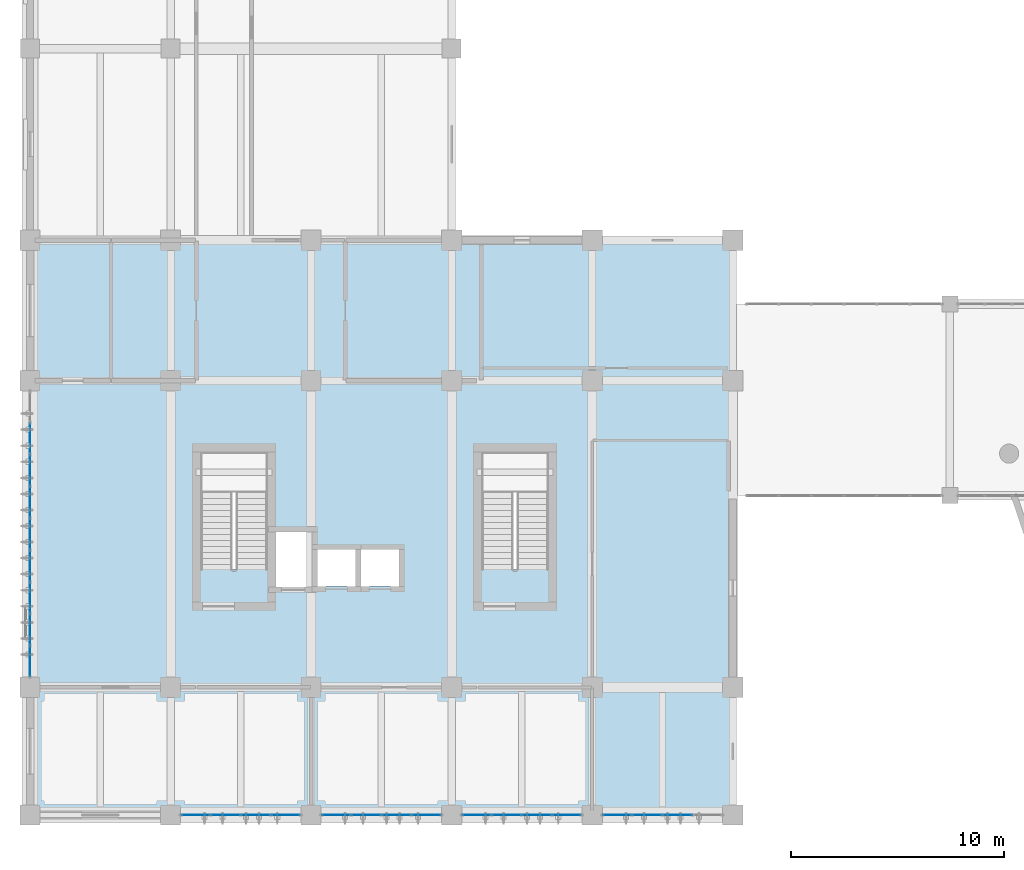
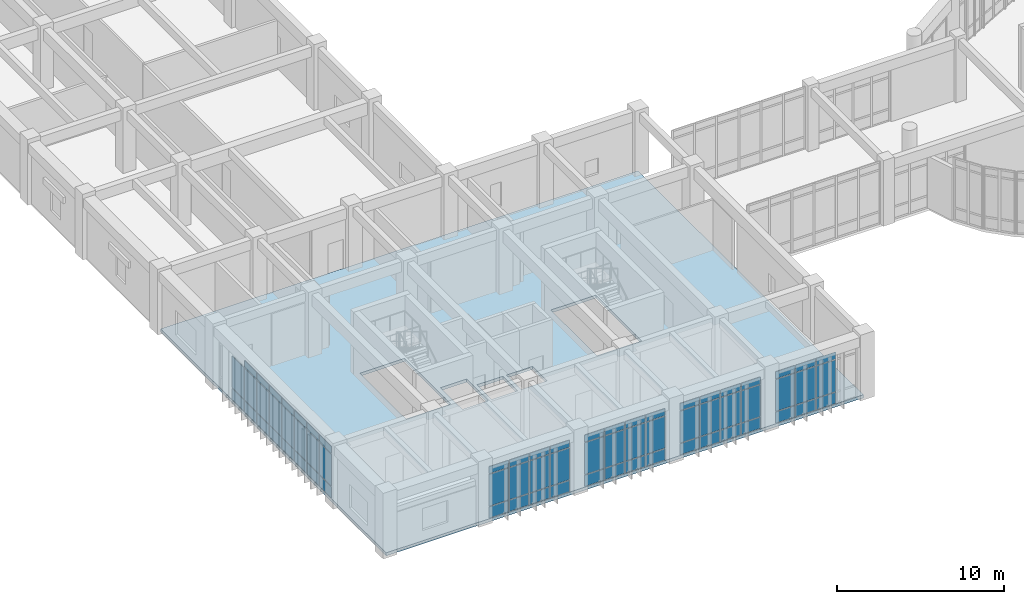
# One storey, part 37 of 68: 68 plates, 1 slab, 5 elements without a shape of their own.
"""IFC4 building model written with IfcOpenShell, lengths in metres."""

from ifc_helpers import new_model, si_unit, direction, frame, origin, origin_2d, place, context, subcontext, project, spatial, polyline, rectangle, outline, extrude, material, layer, layer_set, type_object, element, aggregate, save


model = new_model("IFC4")

# Units and contexts
model_context = context("Model", 3, precision=1e-05, world=origin(), true_north=direction((0.0, 1.0)))
body_context = subcontext(model_context, "Body", "Model", "MODEL_VIEW")
ifc_project = project(units=[si_unit("LENGTHUNIT", "METRE"), si_unit("AREAUNIT", "SQUARE_METRE"), si_unit("VOLUMEUNIT", "CUBIC_METRE"), si_unit("PLANEANGLEUNIT", "RADIAN"), si_unit("MASSUNIT", "GRAM", prefix="KILO")], contexts=[model_context])

# Site, building, storey
site_placement = place(None, origin())
site = spatial("IfcSite", under=ifc_project, at=site_placement, CompositionType="ELEMENT")
building_placement = place(site_placement, origin())
building = spatial("IfcBuilding", under=site, at=building_placement, Name="Miralva Faculty of Natural Sciences", CompositionType="ELEMENT")
storey_placement = place(building_placement, frame((0.0, 0.0, 5.39990234375)))
storey = spatial("IfcBuildingStorey", under=building, at=storey_placement, Name="L01", CompositionType="ELEMENT", Elevation=5.39990234375)

# Curtain wall, plates
ifc_material_1 = material(Name="Laminated solar-control glass", Category="glass")
ifc_layer_1 = layer(ifc_material_1, 0.179931640625, Name="CW-TWR-L01")
ifc_layer_set_1 = layer_set([ifc_layer_1], Name="Laminated solar-control glass")
curtain_wall_type = type_object("IfcCurtainWallType", Name="CW-TWR-L01", PredefinedType="USERDEFINED", material=ifc_layer_set_1)
curtain_wall_1_placement = place(storey_placement, origin())
curtain_wall_1 = element("IfcCurtainWall", 1, at=curtain_wall_1_placement, inside=storey, type_object=curtain_wall_type, Name="Curtain wall CW-13 L01-214", ObjectType="UNITISED CURTAIN WALL", PredefinedType="USERDEFINED")
ifc_layer_2 = layer(ifc_material_1, 0.028076171875, Name="PNL-P01")
ifc_layer_set_2 = layer_set([ifc_layer_2], Name="Laminated solar-control glass")
plate_type = type_object("IfcPlateType", Name="PNL-P01", PredefinedType="CURTAIN_PANEL", material=ifc_layer_set_2)
plate_1_placement = place(storey_placement, frame((10.78125, 3.0, 0.06005859375), z_axis=(0.0, 0.0, 1.0), x_axis=(1.0, 0.0, 0.0)))
plate_1 = element("IfcPlate", 2, at=plate_1_placement, type_object=plate_type, Name="CW-13 panel 1.1", PredefinedType="CURTAIN_PANEL", context=body_context, shape_type="SweptSolid", body=[
    extrude(rectangle(XDim=1.322509765625, YDim=0.028076171875, at=origin_2d()), origin(), (0.0, 0.0, 1.0), 0.81005859375),
])
plate_2_placement = place(storey_placement, frame((10.78125, 3.0, 0.93017578125), z_axis=(0.0, 0.0, 1.0), x_axis=(1.0, 0.0, 0.0)))
plate_2 = element("IfcPlate", 3, at=plate_2_placement, type_object=plate_type, Name="CW-13 panel 1.2", PredefinedType="CURTAIN_PANEL", context=body_context, shape_type="SweptSolid", body=[
    extrude(rectangle(XDim=1.322509765625, YDim=0.028076171875, at=origin_2d()), origin(), (0.0, 0.0, 1.0), 2.31494140625),
])
plate_3_placement = place(storey_placement, frame((10.78125, 3.0, 3.30517578125), z_axis=(0.0, 0.0, 1.0), x_axis=(1.0, 0.0, 0.0)))
plate_3 = element("IfcPlate", 4, at=plate_3_placement, type_object=plate_type, Name="CW-13 panel 1.3", PredefinedType="CURTAIN_PANEL", context=body_context, shape_type="SweptSolid", body=[
    extrude(rectangle(XDim=1.322509765625, YDim=0.028076171875, at=origin_2d()), origin(), (0.0, 0.0, 1.0), 0.510009765625),
])
plate_4_placement = place(storey_placement, frame((12.18505859375, 3.0, 0.06005859375), z_axis=(0.0, 0.0, 1.0), x_axis=(1.0, 0.0, 0.0)))
plate_4 = element("IfcPlate", 5, at=plate_4_placement, type_object=plate_type, Name="CW-13 panel 2.1", PredefinedType="CURTAIN_PANEL", context=body_context, shape_type="SweptSolid", body=[
    extrude(rectangle(XDim=1.35498046875, YDim=0.028076171875, at=origin_2d()), origin(), (0.0, 0.0, 1.0), 0.81005859375),
])
plate_5_placement = place(storey_placement, frame((12.18505859375, 3.0, 0.93017578125), z_axis=(0.0, 0.0, 1.0), x_axis=(1.0, 0.0, 0.0)))
plate_5 = element("IfcPlate", 6, at=plate_5_placement, type_object=plate_type, Name="CW-13 panel 2.2", PredefinedType="CURTAIN_PANEL", context=body_context, shape_type="SweptSolid", body=[
    extrude(rectangle(XDim=1.35498046875, YDim=0.028076171875, at=origin_2d()), origin(), (0.0, 0.0, 1.0), 2.31494140625),
])
plate_6_placement = place(storey_placement, frame((12.18505859375, 3.0, 3.30517578125), z_axis=(0.0, 0.0, 1.0), x_axis=(1.0, 0.0, 0.0)))
plate_6 = element("IfcPlate", 7, at=plate_6_placement, type_object=plate_type, Name="CW-13 panel 2.3", PredefinedType="CURTAIN_PANEL", context=body_context, shape_type="SweptSolid", body=[
    extrude(rectangle(XDim=1.35498046875, YDim=0.028076171875, at=origin_2d()), origin(), (0.0, 0.0, 1.0), 0.510009765625),
])
plate_7_placement = place(storey_placement, frame((13.60498046875, 3.0, 0.06005859375), z_axis=(0.0, 0.0, 1.0), x_axis=(1.0, 0.0, 0.0)))
plate_7 = element("IfcPlate", 8, at=plate_7_placement, type_object=plate_type, Name="CW-13 panel 3.1", PredefinedType="CURTAIN_PANEL", context=body_context, shape_type="SweptSolid", body=[
    extrude(rectangle(XDim=1.35498046875, YDim=0.028076171875, at=origin_2d()), origin(), (0.0, 0.0, 1.0), 0.81005859375),
])
plate_8_placement = place(storey_placement, frame((13.60498046875, 3.0, 0.93017578125), z_axis=(0.0, 0.0, 1.0), x_axis=(1.0, 0.0, 0.0)))
plate_8 = element("IfcPlate", 9, at=plate_8_placement, type_object=plate_type, Name="CW-13 panel 3.2", PredefinedType="CURTAIN_PANEL", context=body_context, shape_type="SweptSolid", body=[
    extrude(rectangle(XDim=1.35498046875, YDim=0.028076171875, at=origin_2d()), origin(), (0.0, 0.0, 1.0), 2.31494140625),
])
plate_9_placement = place(storey_placement, frame((13.60498046875, 3.0, 3.30517578125), z_axis=(0.0, 0.0, 1.0), x_axis=(1.0, 0.0, 0.0)))
plate_9 = element("IfcPlate", 10, at=plate_9_placement, type_object=plate_type, Name="CW-13 panel 3.3", PredefinedType="CURTAIN_PANEL", context=body_context, shape_type="SweptSolid", body=[
    extrude(rectangle(XDim=1.35498046875, YDim=0.028076171875, at=origin_2d()), origin(), (0.0, 0.0, 1.0), 0.510009765625),
])
plate_10_placement = place(storey_placement, frame((15.0087890625, 3.0, 0.06005859375), z_axis=(0.0, 0.0, 1.0), x_axis=(1.0, 0.0, 0.0)))
plate_10 = element("IfcPlate", 11, at=plate_10_placement, type_object=plate_type, Name="CW-13 panel 4.1", PredefinedType="CURTAIN_PANEL", context=body_context, shape_type="SweptSolid", body=[
    extrude(rectangle(XDim=1.322509765625, YDim=0.028076171875, at=origin_2d()), origin(), (0.0, 0.0, 1.0), 0.81005859375),
])
plate_11_placement = place(storey_placement, frame((15.0087890625, 3.0, 0.93017578125), z_axis=(0.0, 0.0, 1.0), x_axis=(1.0, 0.0, 0.0)))
plate_11 = element("IfcPlate", 12, at=plate_11_placement, type_object=plate_type, Name="CW-13 panel 4.2", PredefinedType="CURTAIN_PANEL", context=body_context, shape_type="SweptSolid", body=[
    extrude(rectangle(XDim=1.322509765625, YDim=0.028076171875, at=origin_2d()), origin(), (0.0, 0.0, 1.0), 2.31494140625),
])
plate_12_placement = place(storey_placement, frame((15.0087890625, 3.0, 3.30517578125), z_axis=(0.0, 0.0, 1.0), x_axis=(1.0, 0.0, 0.0)))
plate_12 = element("IfcPlate", 13, at=plate_12_placement, type_object=plate_type, Name="CW-13 panel 4.3", PredefinedType="CURTAIN_PANEL", context=body_context, shape_type="SweptSolid", body=[
    extrude(rectangle(XDim=1.322509765625, YDim=0.028076171875, at=origin_2d()), origin(), (0.0, 0.0, 1.0), 0.510009765625),
])
aggregate(curtain_wall_1, [plate_1, plate_2, plate_3, plate_4, plate_5, plate_6, plate_7, plate_8, plate_9, plate_10, plate_11, plate_12])

curtain_wall_2_placement = place(storey_placement, origin())
curtain_wall_2 = element("IfcCurtainWall", 14, at=curtain_wall_2_placement, inside=storey, type_object=curtain_wall_type, Name="Curtain wall CW-13 L01-215", ObjectType="UNITISED CURTAIN WALL", PredefinedType="USERDEFINED")
plate_13_placement = place(storey_placement, frame((17.382568359375, 3.0, 0.06005859375), z_axis=(0.0, 0.0, 1.0), x_axis=(1.0, 0.0, 0.0)))
plate_13 = element("IfcPlate", 15, at=plate_13_placement, type_object=plate_type, Name="CW-13 panel 1.1", PredefinedType="CURTAIN_PANEL", context=body_context, shape_type="SweptSolid", body=[
    extrude(rectangle(XDim=1.324951171875, YDim=0.028076171875, at=origin_2d()), origin(), (0.0, 0.0, 1.0), 0.81005859375),
])
plate_14_placement = place(storey_placement, frame((17.382568359375, 3.0, 0.93017578125), z_axis=(0.0, 0.0, 1.0), x_axis=(1.0, 0.0, 0.0)))
plate_14 = element("IfcPlate", 16, at=plate_14_placement, type_object=plate_type, Name="CW-13 panel 1.2", PredefinedType="CURTAIN_PANEL", context=body_context, shape_type="SweptSolid", body=[
    extrude(rectangle(XDim=1.324951171875, YDim=0.028076171875, at=origin_2d()), origin(), (0.0, 0.0, 1.0), 2.31494140625),
])
plate_15_placement = place(storey_placement, frame((17.382568359375, 3.0, 3.30517578125), z_axis=(0.0, 0.0, 1.0), x_axis=(1.0, 0.0, 0.0)))
plate_15 = element("IfcPlate", 17, at=plate_15_placement, type_object=plate_type, Name="CW-13 panel 1.3", PredefinedType="CURTAIN_PANEL", context=body_context, shape_type="SweptSolid", body=[
    extrude(rectangle(XDim=1.324951171875, YDim=0.028076171875, at=origin_2d()), origin(), (0.0, 0.0, 1.0), 0.510009765625),
])
plate_16_placement = place(storey_placement, frame((18.788818359375, 3.0, 0.06005859375), z_axis=(0.0, 0.0, 1.0), x_axis=(1.0, 0.0, 0.0)))
plate_16 = element("IfcPlate", 18, at=plate_16_placement, type_object=plate_type, Name="CW-13 panel 2.1", PredefinedType="CURTAIN_PANEL", context=body_context, shape_type="SweptSolid", body=[
    extrude(rectangle(XDim=1.357421875, YDim=0.028076171875, at=origin_2d()), origin(), (0.0, 0.0, 1.0), 0.81005859375),
])
plate_17_placement = place(storey_placement, frame((18.788818359375, 3.0, 0.93017578125), z_axis=(0.0, 0.0, 1.0), x_axis=(1.0, 0.0, 0.0)))
plate_17 = element("IfcPlate", 19, at=plate_17_placement, type_object=plate_type, Name="CW-13 panel 2.2", PredefinedType="CURTAIN_PANEL", context=body_context, shape_type="SweptSolid", body=[
    extrude(rectangle(XDim=1.357421875, YDim=0.028076171875, at=origin_2d()), origin(), (0.0, 0.0, 1.0), 2.31494140625),
])
plate_18_placement = place(storey_placement, frame((18.788818359375, 3.0, 3.30517578125), z_axis=(0.0, 0.0, 1.0), x_axis=(1.0, 0.0, 0.0)))
plate_18 = element("IfcPlate", 20, at=plate_18_placement, type_object=plate_type, Name="CW-13 panel 2.3", PredefinedType="CURTAIN_PANEL", context=body_context, shape_type="SweptSolid", body=[
    extrude(rectangle(XDim=1.357421875, YDim=0.028076171875, at=origin_2d()), origin(), (0.0, 0.0, 1.0), 0.510009765625),
])
plate_19_placement = place(storey_placement, frame((20.211181640625, 3.0, 0.06005859375), z_axis=(0.0, 0.0, 1.0), x_axis=(1.0, 0.0, 0.0)))
plate_19 = element("IfcPlate", 21, at=plate_19_placement, type_object=plate_type, Name="CW-13 panel 3.1", PredefinedType="CURTAIN_PANEL", context=body_context, shape_type="SweptSolid", body=[
    extrude(rectangle(XDim=1.357421875, YDim=0.028076171875, at=origin_2d()), origin(), (0.0, 0.0, 1.0), 0.81005859375),
])
plate_20_placement = place(storey_placement, frame((20.211181640625, 3.0, 0.93017578125), z_axis=(0.0, 0.0, 1.0), x_axis=(1.0, 0.0, 0.0)))
plate_20 = element("IfcPlate", 22, at=plate_20_placement, type_object=plate_type, Name="CW-13 panel 3.2", PredefinedType="CURTAIN_PANEL", context=body_context, shape_type="SweptSolid", body=[
    extrude(rectangle(XDim=1.357421875, YDim=0.028076171875, at=origin_2d()), origin(), (0.0, 0.0, 1.0), 2.31494140625),
])
plate_21_placement = place(storey_placement, frame((20.211181640625, 3.0, 3.30517578125), z_axis=(0.0, 0.0, 1.0), x_axis=(1.0, 0.0, 0.0)))
plate_21 = element("IfcPlate", 23, at=plate_21_placement, type_object=plate_type, Name="CW-13 panel 3.3", PredefinedType="CURTAIN_PANEL", context=body_context, shape_type="SweptSolid", body=[
    extrude(rectangle(XDim=1.357421875, YDim=0.028076171875, at=origin_2d()), origin(), (0.0, 0.0, 1.0), 0.510009765625),
])
plate_22_placement = place(storey_placement, frame((21.617431640625, 3.0, 0.06005859375), z_axis=(0.0, 0.0, 1.0), x_axis=(1.0, 0.0, 0.0)))
plate_22 = element("IfcPlate", 24, at=plate_22_placement, type_object=plate_type, Name="CW-13 panel 4.1", PredefinedType="CURTAIN_PANEL", context=body_context, shape_type="SweptSolid", body=[
    extrude(rectangle(XDim=1.324951171875, YDim=0.028076171875, at=origin_2d()), origin(), (0.0, 0.0, 1.0), 0.81005859375),
])
plate_23_placement = place(storey_placement, frame((21.617431640625, 3.0, 0.93017578125), z_axis=(0.0, 0.0, 1.0), x_axis=(1.0, 0.0, 0.0)))
plate_23 = element("IfcPlate", 25, at=plate_23_placement, type_object=plate_type, Name="CW-13 panel 4.2", PredefinedType="CURTAIN_PANEL", context=body_context, shape_type="SweptSolid", body=[
    extrude(rectangle(XDim=1.324951171875, YDim=0.028076171875, at=origin_2d()), origin(), (0.0, 0.0, 1.0), 2.31494140625),
])
plate_24_placement = place(storey_placement, frame((21.617431640625, 3.0, 3.30517578125), z_axis=(0.0, 0.0, 1.0), x_axis=(1.0, 0.0, 0.0)))
plate_24 = element("IfcPlate", 26, at=plate_24_placement, type_object=plate_type, Name="CW-13 panel 4.3", PredefinedType="CURTAIN_PANEL", context=body_context, shape_type="SweptSolid", body=[
    extrude(rectangle(XDim=1.324951171875, YDim=0.028076171875, at=origin_2d()), origin(), (0.0, 0.0, 1.0), 0.510009765625),
])
aggregate(curtain_wall_2, [plate_13, plate_14, plate_15, plate_16, plate_17, plate_18, plate_19, plate_20, plate_21, plate_22, plate_23, plate_24])

curtain_wall_3_placement = place(storey_placement, origin())
curtain_wall_3 = element("IfcCurtainWall", 27, at=curtain_wall_3_placement, inside=storey, type_object=curtain_wall_type, Name="Curtain wall CW-13 L01-216", ObjectType="UNITISED CURTAIN WALL", PredefinedType="USERDEFINED")
plate_25_placement = place(storey_placement, frame((23.981201171875, 3.0, 0.06005859375), z_axis=(0.0, 0.0, 1.0), x_axis=(1.0, 0.0, 0.0)))
plate_25 = element("IfcPlate", 28, at=plate_25_placement, type_object=plate_type, Name="CW-13 panel 1.1", PredefinedType="CURTAIN_PANEL", context=body_context, shape_type="SweptSolid", body=[
    extrude(rectangle(XDim=1.322509765625, YDim=0.028076171875, at=origin_2d()), origin(), (0.0, 0.0, 1.0), 0.81005859375),
])
plate_26_placement = place(storey_placement, frame((23.981201171875, 3.0, 0.93017578125), z_axis=(0.0, 0.0, 1.0), x_axis=(1.0, 0.0, 0.0)))
plate_26 = element("IfcPlate", 29, at=plate_26_placement, type_object=plate_type, Name="CW-13 panel 1.2", PredefinedType="CURTAIN_PANEL", context=body_context, shape_type="SweptSolid", body=[
    extrude(rectangle(XDim=1.322509765625, YDim=0.028076171875, at=origin_2d()), origin(), (0.0, 0.0, 1.0), 2.31494140625),
])
plate_27_placement = place(storey_placement, frame((23.981201171875, 3.0, 3.30517578125), z_axis=(0.0, 0.0, 1.0), x_axis=(1.0, 0.0, 0.0)))
plate_27 = element("IfcPlate", 30, at=plate_27_placement, type_object=plate_type, Name="CW-13 panel 1.3", PredefinedType="CURTAIN_PANEL", context=body_context, shape_type="SweptSolid", body=[
    extrude(rectangle(XDim=1.322509765625, YDim=0.028076171875, at=origin_2d()), origin(), (0.0, 0.0, 1.0), 0.510009765625),
])
plate_28_placement = place(storey_placement, frame((25.385009765625, 3.0, 0.06005859375), z_axis=(0.0, 0.0, 1.0), x_axis=(1.0, 0.0, 0.0)))
plate_28 = element("IfcPlate", 31, at=plate_28_placement, type_object=plate_type, Name="CW-13 panel 2.1", PredefinedType="CURTAIN_PANEL", context=body_context, shape_type="SweptSolid", body=[
    extrude(rectangle(XDim=1.35498046875, YDim=0.028076171875, at=origin_2d()), origin(), (0.0, 0.0, 1.0), 0.81005859375),
])
plate_29_placement = place(storey_placement, frame((25.385009765625, 3.0, 0.93017578125), z_axis=(0.0, 0.0, 1.0), x_axis=(1.0, 0.0, 0.0)))
plate_29 = element("IfcPlate", 32, at=plate_29_placement, type_object=plate_type, Name="CW-13 panel 2.2", PredefinedType="CURTAIN_PANEL", context=body_context, shape_type="SweptSolid", body=[
    extrude(rectangle(XDim=1.35498046875, YDim=0.028076171875, at=origin_2d()), origin(), (0.0, 0.0, 1.0), 2.31494140625),
])
plate_30_placement = place(storey_placement, frame((25.385009765625, 3.0, 3.30517578125), z_axis=(0.0, 0.0, 1.0), x_axis=(1.0, 0.0, 0.0)))
plate_30 = element("IfcPlate", 33, at=plate_30_placement, type_object=plate_type, Name="CW-13 panel 2.3", PredefinedType="CURTAIN_PANEL", context=body_context, shape_type="SweptSolid", body=[
    extrude(rectangle(XDim=1.35498046875, YDim=0.028076171875, at=origin_2d()), origin(), (0.0, 0.0, 1.0), 0.510009765625),
])
plate_31_placement = place(storey_placement, frame((26.804931640625, 3.0, 0.06005859375), z_axis=(0.0, 0.0, 1.0), x_axis=(1.0, 0.0, 0.0)))
plate_31 = element("IfcPlate", 34, at=plate_31_placement, type_object=plate_type, Name="CW-13 panel 3.1", PredefinedType="CURTAIN_PANEL", context=body_context, shape_type="SweptSolid", body=[
    extrude(rectangle(XDim=1.35498046875, YDim=0.028076171875, at=origin_2d()), origin(), (0.0, 0.0, 1.0), 0.81005859375),
])
plate_32_placement = place(storey_placement, frame((26.804931640625, 3.0, 0.93017578125), z_axis=(0.0, 0.0, 1.0), x_axis=(1.0, 0.0, 0.0)))
plate_32 = element("IfcPlate", 35, at=plate_32_placement, type_object=plate_type, Name="CW-13 panel 3.2", PredefinedType="CURTAIN_PANEL", context=body_context, shape_type="SweptSolid", body=[
    extrude(rectangle(XDim=1.35498046875, YDim=0.028076171875, at=origin_2d()), origin(), (0.0, 0.0, 1.0), 2.31494140625),
])
plate_33_placement = place(storey_placement, frame((26.804931640625, 3.0, 3.30517578125), z_axis=(0.0, 0.0, 1.0), x_axis=(1.0, 0.0, 0.0)))
plate_33 = element("IfcPlate", 36, at=plate_33_placement, type_object=plate_type, Name="CW-13 panel 3.3", PredefinedType="CURTAIN_PANEL", context=body_context, shape_type="SweptSolid", body=[
    extrude(rectangle(XDim=1.35498046875, YDim=0.028076171875, at=origin_2d()), origin(), (0.0, 0.0, 1.0), 0.510009765625),
])
plate_34_placement = place(storey_placement, frame((28.208740234375, 3.0, 0.06005859375), z_axis=(0.0, 0.0, 1.0), x_axis=(1.0, 0.0, 0.0)))
plate_34 = element("IfcPlate", 37, at=plate_34_placement, type_object=plate_type, Name="CW-13 panel 4.1", PredefinedType="CURTAIN_PANEL", context=body_context, shape_type="SweptSolid", body=[
    extrude(rectangle(XDim=1.322509765625, YDim=0.028076171875, at=origin_2d()), origin(), (0.0, 0.0, 1.0), 0.81005859375),
])
plate_35_placement = place(storey_placement, frame((28.208740234375, 3.0, 0.93017578125), z_axis=(0.0, 0.0, 1.0), x_axis=(1.0, 0.0, 0.0)))
plate_35 = element("IfcPlate", 38, at=plate_35_placement, type_object=plate_type, Name="CW-13 panel 4.2", PredefinedType="CURTAIN_PANEL", context=body_context, shape_type="SweptSolid", body=[
    extrude(rectangle(XDim=1.322509765625, YDim=0.028076171875, at=origin_2d()), origin(), (0.0, 0.0, 1.0), 2.31494140625),
])
plate_36_placement = place(storey_placement, frame((28.208740234375, 3.0, 3.30517578125), z_axis=(0.0, 0.0, 1.0), x_axis=(1.0, 0.0, 0.0)))
plate_36 = element("IfcPlate", 39, at=plate_36_placement, type_object=plate_type, Name="CW-13 panel 4.3", PredefinedType="CURTAIN_PANEL", context=body_context, shape_type="SweptSolid", body=[
    extrude(rectangle(XDim=1.322509765625, YDim=0.028076171875, at=origin_2d()), origin(), (0.0, 0.0, 1.0), 0.510009765625),
])
aggregate(curtain_wall_3, [plate_25, plate_26, plate_27, plate_28, plate_29, plate_30, plate_31, plate_32, plate_33, plate_34, plate_35, plate_36])

curtain_wall_4_placement = place(storey_placement, origin())
curtain_wall_4 = element("IfcCurtainWall", 40, at=curtain_wall_4_placement, inside=storey, type_object=curtain_wall_type, Name="Curtain wall CW-13 L01-217", ObjectType="UNITISED CURTAIN WALL", PredefinedType="USERDEFINED")
plate_37_placement = place(storey_placement, frame((30.58251953125, 3.0, 0.06005859375), z_axis=(0.0, 0.0, 1.0), x_axis=(1.0, 0.0, 0.0)))
plate_37 = element("IfcPlate", 41, at=plate_37_placement, type_object=plate_type, Name="CW-13 panel 1.1", PredefinedType="CURTAIN_PANEL", context=body_context, shape_type="SweptSolid", body=[
    extrude(rectangle(XDim=1.324951171875, YDim=0.028076171875, at=origin_2d()), origin(), (0.0, 0.0, 1.0), 0.81005859375),
])
plate_38_placement = place(storey_placement, frame((30.58251953125, 3.0, 0.93017578125), z_axis=(0.0, 0.0, 1.0), x_axis=(1.0, 0.0, 0.0)))
plate_38 = element("IfcPlate", 42, at=plate_38_placement, type_object=plate_type, Name="CW-13 panel 1.2", PredefinedType="CURTAIN_PANEL", context=body_context, shape_type="SweptSolid", body=[
    extrude(rectangle(XDim=1.324951171875, YDim=0.028076171875, at=origin_2d()), origin(), (0.0, 0.0, 1.0), 2.31494140625),
])
plate_39_placement = place(storey_placement, frame((30.58251953125, 3.0, 3.30517578125), z_axis=(0.0, 0.0, 1.0), x_axis=(1.0, 0.0, 0.0)))
plate_39 = element("IfcPlate", 43, at=plate_39_placement, type_object=plate_type, Name="CW-13 panel 1.3", PredefinedType="CURTAIN_PANEL", context=body_context, shape_type="SweptSolid", body=[
    extrude(rectangle(XDim=1.324951171875, YDim=0.028076171875, at=origin_2d()), origin(), (0.0, 0.0, 1.0), 0.510009765625),
])
plate_40_placement = place(storey_placement, frame((31.98876953125, 3.0, 0.06005859375), z_axis=(0.0, 0.0, 1.0), x_axis=(1.0, 0.0, 0.0)))
plate_40 = element("IfcPlate", 44, at=plate_40_placement, type_object=plate_type, Name="CW-13 panel 2.1", PredefinedType="CURTAIN_PANEL", context=body_context, shape_type="SweptSolid", body=[
    extrude(rectangle(XDim=1.357421875, YDim=0.028076171875, at=origin_2d()), origin(), (0.0, 0.0, 1.0), 0.81005859375),
])
plate_41_placement = place(storey_placement, frame((31.98876953125, 3.0, 0.93017578125), z_axis=(0.0, 0.0, 1.0), x_axis=(1.0, 0.0, 0.0)))
plate_41 = element("IfcPlate", 45, at=plate_41_placement, type_object=plate_type, Name="CW-13 panel 2.2", PredefinedType="CURTAIN_PANEL", context=body_context, shape_type="SweptSolid", body=[
    extrude(rectangle(XDim=1.357421875, YDim=0.028076171875, at=origin_2d()), origin(), (0.0, 0.0, 1.0), 2.31494140625),
])
plate_42_placement = place(storey_placement, frame((31.98876953125, 3.0, 3.30517578125), z_axis=(0.0, 0.0, 1.0), x_axis=(1.0, 0.0, 0.0)))
plate_42 = element("IfcPlate", 46, at=plate_42_placement, type_object=plate_type, Name="CW-13 panel 2.3", PredefinedType="CURTAIN_PANEL", context=body_context, shape_type="SweptSolid", body=[
    extrude(rectangle(XDim=1.357421875, YDim=0.028076171875, at=origin_2d()), origin(), (0.0, 0.0, 1.0), 0.510009765625),
])
plate_43_placement = place(storey_placement, frame((33.4111328125, 3.0, 0.06005859375), z_axis=(0.0, 0.0, 1.0), x_axis=(1.0, 0.0, 0.0)))
plate_43 = element("IfcPlate", 47, at=plate_43_placement, type_object=plate_type, Name="CW-13 panel 3.1", PredefinedType="CURTAIN_PANEL", context=body_context, shape_type="SweptSolid", body=[
    extrude(rectangle(XDim=1.357421875, YDim=0.028076171875, at=origin_2d()), origin(), (0.0, 0.0, 1.0), 0.81005859375),
])
plate_44_placement = place(storey_placement, frame((33.4111328125, 3.0, 0.93017578125), z_axis=(0.0, 0.0, 1.0), x_axis=(1.0, 0.0, 0.0)))
plate_44 = element("IfcPlate", 48, at=plate_44_placement, type_object=plate_type, Name="CW-13 panel 3.2", PredefinedType="CURTAIN_PANEL", context=body_context, shape_type="SweptSolid", body=[
    extrude(rectangle(XDim=1.357421875, YDim=0.028076171875, at=origin_2d()), origin(), (0.0, 0.0, 1.0), 2.31494140625),
])
plate_45_placement = place(storey_placement, frame((33.4111328125, 3.0, 3.30517578125), z_axis=(0.0, 0.0, 1.0), x_axis=(1.0, 0.0, 0.0)))
plate_45 = element("IfcPlate", 49, at=plate_45_placement, type_object=plate_type, Name="CW-13 panel 3.3", PredefinedType="CURTAIN_PANEL", context=body_context, shape_type="SweptSolid", body=[
    extrude(rectangle(XDim=1.357421875, YDim=0.028076171875, at=origin_2d()), origin(), (0.0, 0.0, 1.0), 0.510009765625),
])
aggregate(curtain_wall_4, [plate_37, plate_38, plate_39, plate_40, plate_41, plate_42, plate_43, plate_44, plate_45])

curtain_wall_5_placement = place(storey_placement, origin())
curtain_wall_5 = element("IfcCurtainWall", 50, at=curtain_wall_5_placement, inside=storey, type_object=curtain_wall_type, Name="Curtain wall CW-13 L01-218", ObjectType="UNITISED CURTAIN WALL", PredefinedType="USERDEFINED")
plate_46_placement = place(storey_placement, frame((3.0, 10.2294921875, 0.06005859375), z_axis=(0.0, 0.0, 1.0), x_axis=(0.0, 1.0, 0.0)))
plate_46 = element("IfcPlate", 51, at=plate_46_placement, type_object=plate_type, Name="CW-13 panel 1.1", PredefinedType="CURTAIN_PANEL", context=body_context, shape_type="SweptSolid", body=[
    extrude(rectangle(XDim=1.399169921875, YDim=0.028076171875, at=origin_2d()), origin(), (0.0, 0.0, 1.0), 0.81005859375),
])
plate_47_placement = place(storey_placement, frame((3.0, 10.2294921875, 0.93017578125), z_axis=(0.0, 0.0, 1.0), x_axis=(0.0, 1.0, 0.0)))
plate_47 = element("IfcPlate", 52, at=plate_47_placement, type_object=plate_type, Name="CW-13 panel 1.2", PredefinedType="CURTAIN_PANEL", context=body_context, shape_type="SweptSolid", body=[
    extrude(rectangle(XDim=1.399169921875, YDim=0.028076171875, at=origin_2d()), origin(), (0.0, 0.0, 1.0), 2.31494140625),
])
plate_48_placement = place(storey_placement, frame((3.0, 10.2294921875, 3.30517578125), z_axis=(0.0, 0.0, 1.0), x_axis=(0.0, 1.0, 0.0)))
plate_48 = element("IfcPlate", 53, at=plate_48_placement, type_object=plate_type, Name="CW-13 panel 1.3", PredefinedType="CURTAIN_PANEL", context=body_context, shape_type="SweptSolid", body=[
    extrude(rectangle(XDim=1.399169921875, YDim=0.028076171875, at=origin_2d()), origin(), (0.0, 0.0, 1.0), 0.510009765625),
])
plate_49_placement = place(storey_placement, frame((3.0, 11.7099609375, 0.06005859375), z_axis=(0.0, 0.0, 1.0), x_axis=(0.0, 1.0, 0.0)))
plate_49 = element("IfcPlate", 54, at=plate_49_placement, type_object=plate_type, Name="CW-13 panel 2.1", PredefinedType="CURTAIN_PANEL", context=body_context, shape_type="SweptSolid", body=[
    extrude(rectangle(XDim=1.431640625, YDim=0.028076171875, at=origin_2d()), origin(), (0.0, 0.0, 1.0), 0.81005859375),
])
plate_50_placement = place(storey_placement, frame((3.0, 11.7099609375, 0.93017578125), z_axis=(0.0, 0.0, 1.0), x_axis=(0.0, 1.0, 0.0)))
plate_50 = element("IfcPlate", 55, at=plate_50_placement, type_object=plate_type, Name="CW-13 panel 2.2", PredefinedType="CURTAIN_PANEL", context=body_context, shape_type="SweptSolid", body=[
    extrude(rectangle(XDim=1.431640625, YDim=0.028076171875, at=origin_2d()), origin(), (0.0, 0.0, 1.0), 2.31494140625),
])
plate_51_placement = place(storey_placement, frame((3.0, 11.7099609375, 3.30517578125), z_axis=(0.0, 0.0, 1.0), x_axis=(0.0, 1.0, 0.0)))
plate_51 = element("IfcPlate", 56, at=plate_51_placement, type_object=plate_type, Name="CW-13 panel 2.3", PredefinedType="CURTAIN_PANEL", context=body_context, shape_type="SweptSolid", body=[
    extrude(rectangle(XDim=1.431640625, YDim=0.028076171875, at=origin_2d()), origin(), (0.0, 0.0, 1.0), 0.510009765625),
])
plate_52_placement = place(storey_placement, frame((3.0, 13.206787109375, 0.06005859375), z_axis=(0.0, 0.0, 1.0), x_axis=(0.0, 1.0, 0.0)))
plate_52 = element("IfcPlate", 57, at=plate_52_placement, type_object=plate_type, Name="CW-13 panel 3.1", PredefinedType="CURTAIN_PANEL", context=body_context, shape_type="SweptSolid", body=[
    extrude(rectangle(XDim=1.431640625, YDim=0.028076171875, at=origin_2d()), origin(), (0.0, 0.0, 1.0), 0.81005859375),
])
plate_53_placement = place(storey_placement, frame((3.0, 13.206787109375, 0.93017578125), z_axis=(0.0, 0.0, 1.0), x_axis=(0.0, 1.0, 0.0)))
plate_53 = element("IfcPlate", 58, at=plate_53_placement, type_object=plate_type, Name="CW-13 panel 3.2", PredefinedType="CURTAIN_PANEL", context=body_context, shape_type="SweptSolid", body=[
    extrude(rectangle(XDim=1.431640625, YDim=0.028076171875, at=origin_2d()), origin(), (0.0, 0.0, 1.0), 2.31494140625),
])
plate_54_placement = place(storey_placement, frame((3.0, 13.206787109375, 3.30517578125), z_axis=(0.0, 0.0, 1.0), x_axis=(0.0, 1.0, 0.0)))
plate_54 = element("IfcPlate", 59, at=plate_54_placement, type_object=plate_type, Name="CW-13 panel 3.3", PredefinedType="CURTAIN_PANEL", context=body_context, shape_type="SweptSolid", body=[
    extrude(rectangle(XDim=1.431640625, YDim=0.028076171875, at=origin_2d()), origin(), (0.0, 0.0, 1.0), 0.510009765625),
])
plate_55_placement = place(storey_placement, frame((3.0, 14.703369140625, 0.06005859375), z_axis=(0.0, 0.0, 1.0), x_axis=(0.0, 1.0, 0.0)))
plate_55 = element("IfcPlate", 60, at=plate_55_placement, type_object=plate_type, Name="CW-13 panel 4.1", PredefinedType="CURTAIN_PANEL", context=body_context, shape_type="SweptSolid", body=[
    extrude(rectangle(XDim=1.431640625, YDim=0.028076171875, at=origin_2d()), origin(), (0.0, 0.0, 1.0), 0.81005859375),
])
plate_56_placement = place(storey_placement, frame((3.0, 14.703369140625, 0.93017578125), z_axis=(0.0, 0.0, 1.0), x_axis=(0.0, 1.0, 0.0)))
plate_56 = element("IfcPlate", 61, at=plate_56_placement, type_object=plate_type, Name="CW-13 panel 4.2", PredefinedType="CURTAIN_PANEL", context=body_context, shape_type="SweptSolid", body=[
    extrude(rectangle(XDim=1.431640625, YDim=0.028076171875, at=origin_2d()), origin(), (0.0, 0.0, 1.0), 2.31494140625),
])
plate_57_placement = place(storey_placement, frame((3.0, 14.703369140625, 3.30517578125), z_axis=(0.0, 0.0, 1.0), x_axis=(0.0, 1.0, 0.0)))
plate_57 = element("IfcPlate", 62, at=plate_57_placement, type_object=plate_type, Name="CW-13 panel 4.3", PredefinedType="CURTAIN_PANEL", context=body_context, shape_type="SweptSolid", body=[
    extrude(rectangle(XDim=1.431640625, YDim=0.028076171875, at=origin_2d()), origin(), (0.0, 0.0, 1.0), 0.510009765625),
])
plate_58_placement = place(storey_placement, frame((3.0, 16.199951171875, 0.06005859375), z_axis=(0.0, 0.0, 1.0), x_axis=(0.0, 1.0, 0.0)))
plate_58 = element("IfcPlate", 63, at=plate_58_placement, type_object=plate_type, Name="CW-13 panel 5.1", PredefinedType="CURTAIN_PANEL", context=body_context, shape_type="SweptSolid", body=[
    extrude(rectangle(XDim=1.431640625, YDim=0.028076171875, at=origin_2d()), origin(), (0.0, 0.0, 1.0), 0.81005859375),
])
plate_59_placement = place(storey_placement, frame((3.0, 16.199951171875, 0.93017578125), z_axis=(0.0, 0.0, 1.0), x_axis=(0.0, 1.0, 0.0)))
plate_59 = element("IfcPlate", 64, at=plate_59_placement, type_object=plate_type, Name="CW-13 panel 5.2", PredefinedType="CURTAIN_PANEL", context=body_context, shape_type="SweptSolid", body=[
    extrude(rectangle(XDim=1.431640625, YDim=0.028076171875, at=origin_2d()), origin(), (0.0, 0.0, 1.0), 2.31494140625),
])
plate_60_placement = place(storey_placement, frame((3.0, 16.199951171875, 3.30517578125), z_axis=(0.0, 0.0, 1.0), x_axis=(0.0, 1.0, 0.0)))
plate_60 = element("IfcPlate", 65, at=plate_60_placement, type_object=plate_type, Name="CW-13 panel 5.3", PredefinedType="CURTAIN_PANEL", context=body_context, shape_type="SweptSolid", body=[
    extrude(rectangle(XDim=1.431640625, YDim=0.028076171875, at=origin_2d()), origin(), (0.0, 0.0, 1.0), 0.510009765625),
])
plate_61_placement = place(storey_placement, frame((3.0, 17.69677734375, 0.06005859375), z_axis=(0.0, 0.0, 1.0), x_axis=(0.0, 1.0, 0.0)))
plate_61 = element("IfcPlate", 66, at=plate_61_placement, type_object=plate_type, Name="CW-13 panel 6.1", PredefinedType="CURTAIN_PANEL", context=body_context, shape_type="SweptSolid", body=[
    extrude(rectangle(XDim=1.431640625, YDim=0.028076171875, at=origin_2d()), origin(), (0.0, 0.0, 1.0), 0.81005859375),
])
plate_62_placement = place(storey_placement, frame((3.0, 17.69677734375, 0.93017578125), z_axis=(0.0, 0.0, 1.0), x_axis=(0.0, 1.0, 0.0)))
plate_62 = element("IfcPlate", 67, at=plate_62_placement, type_object=plate_type, Name="CW-13 panel 6.2", PredefinedType="CURTAIN_PANEL", context=body_context, shape_type="SweptSolid", body=[
    extrude(rectangle(XDim=1.431640625, YDim=0.028076171875, at=origin_2d()), origin(), (0.0, 0.0, 1.0), 2.31494140625),
])
plate_63_placement = place(storey_placement, frame((3.0, 17.69677734375, 3.30517578125), z_axis=(0.0, 0.0, 1.0), x_axis=(0.0, 1.0, 0.0)))
plate_63 = element("IfcPlate", 68, at=plate_63_placement, type_object=plate_type, Name="CW-13 panel 6.3", PredefinedType="CURTAIN_PANEL", context=body_context, shape_type="SweptSolid", body=[
    extrude(rectangle(XDim=1.431640625, YDim=0.028076171875, at=origin_2d()), origin(), (0.0, 0.0, 1.0), 0.510009765625),
])
plate_64_placement = place(storey_placement, frame((3.0, 19.193359375, 0.06005859375), z_axis=(0.0, 0.0, 1.0), x_axis=(0.0, 1.0, 0.0)))
plate_64 = element("IfcPlate", 69, at=plate_64_placement, type_object=plate_type, Name="CW-13 panel 7.1", PredefinedType="CURTAIN_PANEL", context=body_context, shape_type="SweptSolid", body=[
    extrude(rectangle(XDim=1.431640625, YDim=0.028076171875, at=origin_2d()), origin(), (0.0, 0.0, 1.0), 0.81005859375),
])
plate_65_placement = place(storey_placement, frame((3.0, 19.193359375, 0.93017578125), z_axis=(0.0, 0.0, 1.0), x_axis=(0.0, 1.0, 0.0)))
plate_65 = element("IfcPlate", 70, at=plate_65_placement, type_object=plate_type, Name="CW-13 panel 7.2", PredefinedType="CURTAIN_PANEL", context=body_context, shape_type="SweptSolid", body=[
    extrude(rectangle(XDim=1.431640625, YDim=0.028076171875, at=origin_2d()), origin(), (0.0, 0.0, 1.0), 2.31494140625),
])
plate_66_placement = place(storey_placement, frame((3.0, 19.193359375, 3.30517578125), z_axis=(0.0, 0.0, 1.0), x_axis=(0.0, 1.0, 0.0)))
plate_66 = element("IfcPlate", 71, at=plate_66_placement, type_object=plate_type, Name="CW-13 panel 7.3", PredefinedType="CURTAIN_PANEL", context=body_context, shape_type="SweptSolid", body=[
    extrude(rectangle(XDim=1.431640625, YDim=0.028076171875, at=origin_2d()), origin(), (0.0, 0.0, 1.0), 0.510009765625),
])
plate_67_placement = place(storey_placement, frame((3.0, 20.68994140625, 0.06005859375), z_axis=(0.0, 0.0, 1.0), x_axis=(0.0, 1.0, 0.0)))
plate_67 = element("IfcPlate", 72, at=plate_67_placement, type_object=plate_type, Name="CW-13 panel 8.1", PredefinedType="CURTAIN_PANEL", context=body_context, shape_type="SweptSolid", body=[
    extrude(rectangle(XDim=1.431640625, YDim=0.028076171875, at=origin_2d()), origin(), (0.0, 0.0, 1.0), 0.81005859375),
])
plate_68_placement = place(storey_placement, frame((3.0, 20.68994140625, 0.93017578125), z_axis=(0.0, 0.0, 1.0), x_axis=(0.0, 1.0, 0.0)))
plate_68 = element("IfcPlate", 73, at=plate_68_placement, type_object=plate_type, Name="CW-13 panel 8.2", PredefinedType="CURTAIN_PANEL", context=body_context, shape_type="SweptSolid", body=[
    extrude(rectangle(XDim=1.431640625, YDim=0.028076171875, at=origin_2d()), origin(), (0.0, 0.0, 1.0), 2.31494140625),
])
aggregate(curtain_wall_5, [plate_46, plate_47, plate_48, plate_49, plate_50, plate_51, plate_52, plate_53, plate_54, plate_55, plate_56, plate_57, plate_58, plate_59, plate_60, plate_61, plate_62, plate_63, plate_64, plate_65, plate_66, plate_67, plate_68])

# Slab
ifc_material_2 = material(Name="Concrete C40/50", Category="concrete")
ifc_layer_3 = layer(ifc_material_2, 0.219970703125, Name="SL-FL04")
ifc_layer_set_3 = layer_set([ifc_layer_3], Name="Concrete C40/50")
slab_type = type_object("IfcSlabType", Name="SL-FL04", PredefinedType="FLOOR", material=ifc_layer_set_3)
slab_placement = place(storey_placement, frame((0.0, 0.0, -0.219970703125)))
element("IfcSlab", 74, at=slab_placement, inside=storey, type_object=slab_type, Name="V5 L01 floor slab", PredefinedType="FLOOR", context=body_context, shape_type="SweptSolid", body=[
    extrude(outline(polyline([(36.0, 3.0), (3.0, 3.0), (3.0, 30.0), (36.0, 30.0), (36.0, 3.0)]), holes=[polyline([(14.125, 14.52490234375), (11.02490234375, 14.52490234375), (11.02490234375, 20.02490234375), (14.125, 20.02490234375), (14.125, 14.52490234375)]), polyline([(16.25, 13.699951171875), (14.449951171875, 13.699951171875), (14.449951171875, 16.300048828125), (16.25, 16.300048828125), (16.25, 13.699951171875)]), polyline([(18.2900390625, 13.72509765625), (16.489990234375, 13.72509765625), (16.489990234375, 15.47509765625), (18.2900390625, 15.47509765625), (18.2900390625, 13.72509765625)]), polyline([(27.324951171875, 14.52490234375), (24.22509765625, 14.52490234375), (24.22509765625, 20.02490234375), (27.324951171875, 20.02490234375), (27.324951171875, 14.52490234375)]), polyline([(20.330078125, 13.72509765625), (18.530029296875, 13.72509765625), (18.530029296875, 15.47509765625), (20.330078125, 15.47509765625), (20.330078125, 13.72509765625)])]), origin(), (0.0, 0.0, 1.0), 0.219970703125),
])

save(model, "model.ifc")
